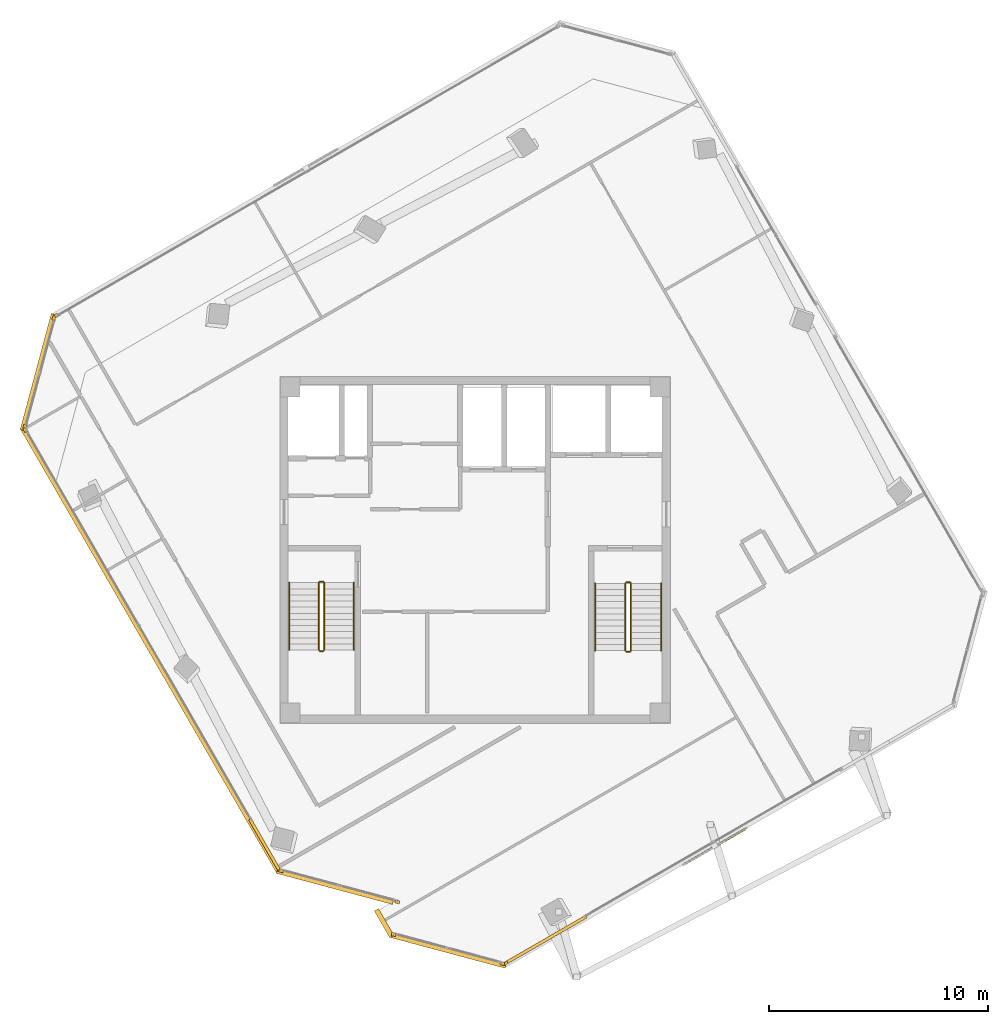
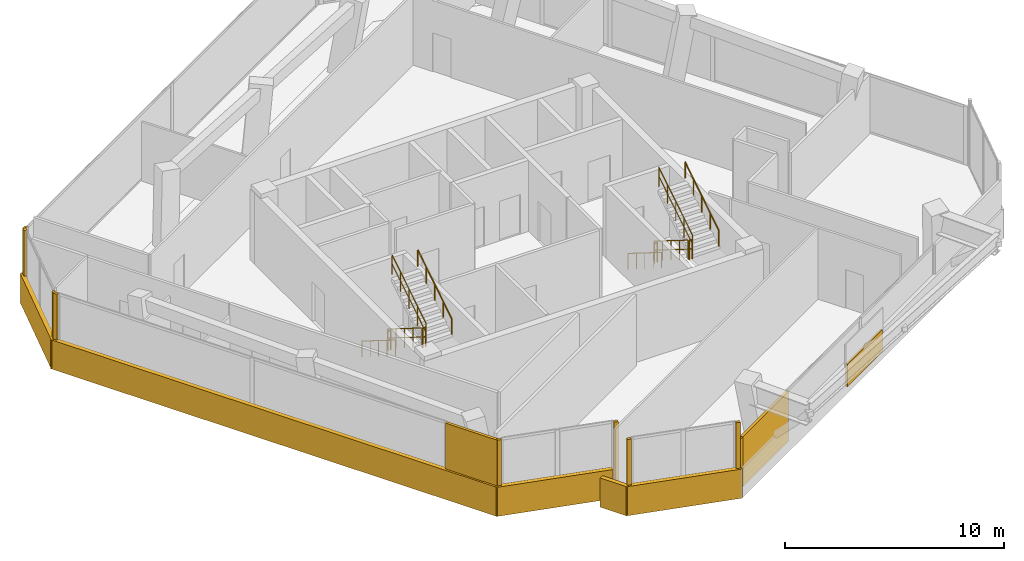
# One storey, part 13 of 15: 16 coverings, 12 railings, 1 shading device.
"""IFC4 building model written with IfcOpenShell, lengths in metres."""

from ifc_helpers import new_model, si_unit, direction, frame, origin, origin_2d, place, context, subcontext, project, spatial, rectangle, circle, extrude, source, transform, mapped, material, layer, layer_set, type_object, element, save


model = new_model("IFC4")

# Units and contexts
model_context = context("Model", 3, precision=1e-05, world=origin(), true_north=direction((0.0, 1.0)))
body_context = subcontext(model_context, "Body", "Model", "MODEL_VIEW")
ifc_project = project(units=[si_unit("LENGTHUNIT", "METRE"), si_unit("AREAUNIT", "SQUARE_METRE"), si_unit("VOLUMEUNIT", "CUBIC_METRE"), si_unit("PLANEANGLEUNIT", "RADIAN"), si_unit("MASSUNIT", "GRAM", prefix="KILO")], contexts=[model_context])

# Site, building, storey
site_placement = place(None, origin())
site = spatial("IfcSite", under=ifc_project, at=site_placement, CompositionType="ELEMENT")
building_placement = place(site_placement, origin())
building = spatial("IfcBuilding", under=site, at=building_placement, Name="Torre Montelarca", CompositionType="ELEMENT")
storey_placement = place(building_placement, frame((0.0, 0.0, 324.0)))
storey = spatial("IfcBuildingStorey", under=building, at=storey_placement, Name="L73", CompositionType="ELEMENT", Elevation=324.0)

# Railings
ifc_material_1 = material(Name="Powder-coated steel ASTM A500 Grade C", Category="steel")
railing_type_1 = type_object("IfcRailingType", Name="RL-GUARD-1100", PredefinedType="BALUSTRADE", material=ifc_material_1)
railing_1_placement = place(storey_placement, frame((10.85009765625, 30.5, 0.175048828125)))
element("IfcRailing", 1, at=railing_1_placement, inside=storey, type_object=railing_type_1, Name="L73 ST1 stair guard 1", PredefinedType="BALUSTRADE", context=body_context, shape_type="SweptSolid", body=[
    extrude(circle(Radius=0.02392578125, at=origin_2d()), frame((0.0, 0.0, 1.076171875), z_axis=(0.0, -0.847998304005, 0.529998940003), x_axis=(1.0, 0.0, 0.0)), (0.0, 0.0, 1.0), 3.632080078125),
    extrude(circle(Radius=0.02099609375, at=origin_2d()), frame((0.0, 0.0, 0.572021484375), z_axis=(0.0, -0.847998304005, 0.529998940003), x_axis=(1.0, 0.0, 0.0)), (0.0, 0.0, 1.0), 3.632080078125),
    extrude(circle(Radius=0.02099609375, at=origin_2d()), origin(), (0.0, 0.0, 1.0), 1.052001953125),
    extrude(circle(Radius=0.02099609375, at=origin_2d()), frame((0.0, -0.77001953125, 0.481201171875)), (0.0, 0.0, 1.0), 1.052001953125),
    extrude(circle(Radius=0.02099609375, at=origin_2d()), frame((0.0, -1.5400390625, 0.96240234375)), (0.0, 0.0, 1.0), 1.052001953125),
    extrude(circle(Radius=0.02099609375, at=origin_2d()), frame((0.0, -2.31005859375, 1.44384765625)), (0.0, 0.0, 1.0), 1.052001953125),
    extrude(circle(Radius=0.02099609375, at=origin_2d()), frame((0.0, -3.080078125, 1.925048828125)), (0.0, 0.0, 1.0), 1.052001953125),
])
railing_2_placement = place(storey_placement, frame((10.89990234375, 27.3701171875, 2.10009765625)))
element("IfcRailing", 2, at=railing_2_placement, inside=storey, type_object=railing_type_1, Name="L73 ST1 stair guard 2", PredefinedType="BALUSTRADE", context=body_context, shape_type="SweptSolid", body=[
    extrude(circle(Radius=0.02392578125, at=origin_2d()), frame((0.0, 0.0, 1.076171875), z_axis=(1.0, 0.0, 0.0), x_axis=(0.0, 1.0, 0.0)), (0.0, 0.0, 1.0), 0.150146484375),
    extrude(circle(Radius=0.02099609375, at=origin_2d()), frame((0.0, 0.0, 0.572021484375), z_axis=(1.0, 0.0, 0.0), x_axis=(0.0, 1.0, 0.0)), (0.0, 0.0, 1.0), 0.150146484375),
    extrude(circle(Radius=0.02099609375, at=origin_2d()), origin(), (0.0, 0.0, 1.0), 1.052001953125),
    extrude(circle(Radius=0.02099609375, at=origin_2d()), frame((0.150146484375, 0.0, 0.0)), (0.0, 0.0, 1.0), 1.052001953125),
])
railing_3_placement = place(storey_placement, frame((11.10009765625, 27.419921875, 2.27490234375)))
element("IfcRailing", 3, at=railing_3_placement, inside=storey, type_object=railing_type_1, Name="L73 ST1 stair guard 3", PredefinedType="BALUSTRADE", context=body_context, shape_type="SweptSolid", body=[
    extrude(circle(Radius=0.02392578125, at=origin_2d()), frame((0.0, 0.0, 1.076171875), z_axis=(0.0, 0.847998304005, 0.529998940003), x_axis=(-1.0, 0.0, 0.0)), (0.0, 0.0, 1.0), 3.632080078125),
    extrude(circle(Radius=0.02099609375, at=origin_2d()), frame((0.0, 0.0, 0.572021484375), z_axis=(0.0, 0.847998304005, 0.529998940003), x_axis=(-1.0, 0.0, 0.0)), (0.0, 0.0, 1.0), 3.632080078125),
    extrude(circle(Radius=0.02099609375, at=origin_2d()), origin(), (0.0, 0.0, 1.0), 1.052001953125),
    extrude(circle(Radius=0.02099609375, at=origin_2d()), frame((0.0, 0.77001953125, 0.481201171875)), (0.0, 0.0, 1.0), 1.052001953125),
    extrude(circle(Radius=0.02099609375, at=origin_2d()), frame((0.0, 1.5400390625, 0.96240234375)), (0.0, 0.0, 1.0), 1.052001953125),
    extrude(circle(Radius=0.02099609375, at=origin_2d()), frame((0.0, 2.31005859375, 1.44384765625)), (0.0, 0.0, 1.0), 1.052001953125),
    extrude(circle(Radius=0.02099609375, at=origin_2d()), frame((0.0, 3.080078125, 1.925048828125)), (0.0, 0.0, 1.0), 1.052001953125),
])
railing_4_placement = place(storey_placement, frame((10.89990234375, 30.550048828125, 0.0)))
element("IfcRailing", 4, at=railing_4_placement, inside=storey, type_object=railing_type_1, Name="L73 ST1 stair guard 4", PredefinedType="BALUSTRADE", context=body_context, shape_type="SweptSolid", body=[
    extrude(circle(Radius=0.02392578125, at=origin_2d()), frame((0.0, 0.0, 1.076171875), z_axis=(1.0, 0.0, 0.0), x_axis=(0.0, 1.0, 0.0)), (0.0, 0.0, 1.0), 0.150146484375),
    extrude(circle(Radius=0.02099609375, at=origin_2d()), frame((0.0, 0.0, 0.572021484375), z_axis=(1.0, 0.0, 0.0), x_axis=(0.0, 1.0, 0.0)), (0.0, 0.0, 1.0), 0.150146484375),
    extrude(circle(Radius=0.02099609375, at=origin_2d()), origin(), (0.0, 0.0, 1.0), 1.052001953125),
    extrude(circle(Radius=0.02099609375, at=origin_2d()), frame((0.150146484375, 0.0, 0.0)), (0.0, 0.0, 1.0), 1.052001953125),
])
railing_5_placement = place(storey_placement, frame((24.8701171875, 30.469970703125, 0.175048828125)))
element("IfcRailing", 5, at=railing_5_placement, inside=storey, type_object=railing_type_1, Name="L73 ST2 stair guard 1", PredefinedType="BALUSTRADE", context=body_context, shape_type="SweptSolid", body=[
    extrude(circle(Radius=0.02392578125, at=origin_2d()), frame((0.0, 0.0, 1.076171875), z_axis=(0.0, -0.847998304005, 0.529998940003), x_axis=(1.0, 0.0, 0.0)), (0.0, 0.0, 1.0), 3.632080078125),
    extrude(circle(Radius=0.02099609375, at=origin_2d()), frame((0.0, 0.0, 0.572021484375), z_axis=(0.0, -0.847998304005, 0.529998940003), x_axis=(1.0, 0.0, 0.0)), (0.0, 0.0, 1.0), 3.632080078125),
    extrude(circle(Radius=0.02099609375, at=origin_2d()), origin(), (0.0, 0.0, 1.0), 1.052001953125),
    extrude(circle(Radius=0.02099609375, at=origin_2d()), frame((0.0, -0.77001953125, 0.481201171875)), (0.0, 0.0, 1.0), 1.052001953125),
    extrude(circle(Radius=0.02099609375, at=origin_2d()), frame((0.0, -1.5400390625, 0.96240234375)), (0.0, 0.0, 1.0), 1.052001953125),
    extrude(circle(Radius=0.02099609375, at=origin_2d()), frame((0.0, -2.31005859375, 1.44384765625)), (0.0, 0.0, 1.0), 1.052001953125),
    extrude(circle(Radius=0.02099609375, at=origin_2d()), frame((0.0, -3.080078125, 1.925048828125)), (0.0, 0.0, 1.0), 1.052001953125),
])
railing_6_placement = place(storey_placement, frame((24.919921875, 27.340087890625, 2.10009765625)))
element("IfcRailing", 6, at=railing_6_placement, inside=storey, type_object=railing_type_1, Name="L73 ST2 stair guard 2", PredefinedType="BALUSTRADE", context=body_context, shape_type="SweptSolid", body=[
    extrude(circle(Radius=0.02392578125, at=origin_2d()), frame((0.0, 0.0, 1.076171875), z_axis=(1.0, 0.0, 0.0), x_axis=(0.0, 1.0, 0.0)), (0.0, 0.0, 1.0), 0.150146484375),
    extrude(circle(Radius=0.02099609375, at=origin_2d()), frame((0.0, 0.0, 0.572021484375), z_axis=(1.0, 0.0, 0.0), x_axis=(0.0, 1.0, 0.0)), (0.0, 0.0, 1.0), 0.150146484375),
    extrude(circle(Radius=0.02099609375, at=origin_2d()), origin(), (0.0, 0.0, 1.0), 1.052001953125),
    extrude(circle(Radius=0.02099609375, at=origin_2d()), frame((0.150146484375, 0.0, 0.0)), (0.0, 0.0, 1.0), 1.052001953125),
])
railing_7_placement = place(storey_placement, frame((25.1201171875, 27.389892578125, 2.27490234375)))
element("IfcRailing", 7, at=railing_7_placement, inside=storey, type_object=railing_type_1, Name="L73 ST2 stair guard 3", PredefinedType="BALUSTRADE", context=body_context, shape_type="SweptSolid", body=[
    extrude(circle(Radius=0.02392578125, at=origin_2d()), frame((0.0, 0.0, 1.076171875), z_axis=(0.0, 0.847998304005, 0.529998940003), x_axis=(-1.0, 0.0, 0.0)), (0.0, 0.0, 1.0), 3.632080078125),
    extrude(circle(Radius=0.02099609375, at=origin_2d()), frame((0.0, 0.0, 0.572021484375), z_axis=(0.0, 0.847998304005, 0.529998940003), x_axis=(-1.0, 0.0, 0.0)), (0.0, 0.0, 1.0), 3.632080078125),
    extrude(circle(Radius=0.02099609375, at=origin_2d()), origin(), (0.0, 0.0, 1.0), 1.052001953125),
    extrude(circle(Radius=0.02099609375, at=origin_2d()), frame((0.0, 0.77001953125, 0.481201171875)), (0.0, 0.0, 1.0), 1.052001953125),
    extrude(circle(Radius=0.02099609375, at=origin_2d()), frame((0.0, 1.5400390625, 0.96240234375)), (0.0, 0.0, 1.0), 1.052001953125),
    extrude(circle(Radius=0.02099609375, at=origin_2d()), frame((0.0, 2.31005859375, 1.44384765625)), (0.0, 0.0, 1.0), 1.052001953125),
    extrude(circle(Radius=0.02099609375, at=origin_2d()), frame((0.0, 3.080078125, 1.925048828125)), (0.0, 0.0, 1.0), 1.052001953125),
])
railing_8_placement = place(storey_placement, frame((24.919921875, 30.52001953125, 0.0)))
element("IfcRailing", 8, at=railing_8_placement, inside=storey, type_object=railing_type_1, Name="L73 ST2 stair guard 4", PredefinedType="BALUSTRADE", context=body_context, shape_type="SweptSolid", body=[
    extrude(circle(Radius=0.02392578125, at=origin_2d()), frame((0.0, 0.0, 1.076171875), z_axis=(1.0, 0.0, 0.0), x_axis=(0.0, 1.0, 0.0)), (0.0, 0.0, 1.0), 0.150146484375),
    extrude(circle(Radius=0.02099609375, at=origin_2d()), frame((0.0, 0.0, 0.572021484375), z_axis=(1.0, 0.0, 0.0), x_axis=(0.0, 1.0, 0.0)), (0.0, 0.0, 1.0), 0.150146484375),
    extrude(circle(Radius=0.02099609375, at=origin_2d()), origin(), (0.0, 0.0, 1.0), 1.052001953125),
    extrude(circle(Radius=0.02099609375, at=origin_2d()), frame((0.150146484375, 0.0, 0.0)), (0.0, 0.0, 1.0), 1.052001953125),
])
ifc_material_2 = material(Name="Brushed stainless steel AISI 316", Category="steel")
railing_type_2 = type_object("IfcRailingType", Name="RL-HANDRAIL-900", PredefinedType="HANDRAIL", material=ifc_material_2)
railing_9_placement = place(storey_placement, frame((9.5, 30.5, 0.175048828125)))
element("IfcRailing", 9, at=railing_9_placement, inside=storey, type_object=railing_type_2, Name="L73 ST1 stair handrail 1", PredefinedType="HANDRAIL", context=body_context, shape_type="SweptSolid", body=[
    extrude(circle(Radius=0.02392578125, at=origin_2d()), frame((0.0, 0.0, 0.8759765625), z_axis=(0.0, -0.847998304005, 0.529998940003), x_axis=(1.0, 0.0, 0.0)), (0.0, 0.0, 1.0), 3.632080078125),
    extrude(circle(Radius=0.02099609375, at=origin_2d()), origin(), (0.0, 0.0, 1.0), 0.851806640625),
    extrude(circle(Radius=0.02099609375, at=origin_2d()), frame((0.0, -0.77001953125, 0.481201171875)), (0.0, 0.0, 1.0), 0.851806640625),
    extrude(circle(Radius=0.02099609375, at=origin_2d()), frame((0.0, -1.5400390625, 0.96240234375)), (0.0, 0.0, 1.0), 0.851806640625),
    extrude(circle(Radius=0.02099609375, at=origin_2d()), frame((0.0, -2.31005859375, 1.44384765625)), (0.0, 0.0, 1.0), 0.851806640625),
    extrude(circle(Radius=0.02099609375, at=origin_2d()), frame((0.0, -3.080078125, 1.925048828125)), (0.0, 0.0, 1.0), 0.851806640625),
])
railing_10_placement = place(storey_placement, frame((12.449951171875, 27.419921875, 2.27490234375)))
element("IfcRailing", 10, at=railing_10_placement, inside=storey, type_object=railing_type_2, Name="L73 ST1 stair handrail 2", PredefinedType="HANDRAIL", context=body_context, shape_type="SweptSolid", body=[
    extrude(circle(Radius=0.02392578125, at=origin_2d()), frame((0.0, 0.0, 0.8759765625), z_axis=(0.0, 0.847998304005, 0.529998940003), x_axis=(-1.0, 0.0, 0.0)), (0.0, 0.0, 1.0), 3.632080078125),
    extrude(circle(Radius=0.02099609375, at=origin_2d()), origin(), (0.0, 0.0, 1.0), 0.851806640625),
    extrude(circle(Radius=0.02099609375, at=origin_2d()), frame((0.0, 0.77001953125, 0.481201171875)), (0.0, 0.0, 1.0), 0.851806640625),
    extrude(circle(Radius=0.02099609375, at=origin_2d()), frame((0.0, 1.5400390625, 0.96240234375)), (0.0, 0.0, 1.0), 0.851806640625),
    extrude(circle(Radius=0.02099609375, at=origin_2d()), frame((0.0, 2.31005859375, 1.44384765625)), (0.0, 0.0, 1.0), 0.851806640625),
    extrude(circle(Radius=0.02099609375, at=origin_2d()), frame((0.0, 3.080078125, 1.925048828125)), (0.0, 0.0, 1.0), 0.851806640625),
])
railing_11_placement = place(storey_placement, frame((23.489990234375, 30.469970703125, 0.175048828125)))
element("IfcRailing", 11, at=railing_11_placement, inside=storey, type_object=railing_type_2, Name="L73 ST2 stair handrail 1", PredefinedType="HANDRAIL", context=body_context, shape_type="SweptSolid", body=[
    extrude(circle(Radius=0.02392578125, at=origin_2d()), frame((0.0, 0.0, 0.8759765625), z_axis=(0.0, -0.847998304005, 0.529998940003), x_axis=(1.0, 0.0, 0.0)), (0.0, 0.0, 1.0), 3.632080078125),
    extrude(circle(Radius=0.02099609375, at=origin_2d()), origin(), (0.0, 0.0, 1.0), 0.851806640625),
    extrude(circle(Radius=0.02099609375, at=origin_2d()), frame((0.0, -0.77001953125, 0.481201171875)), (0.0, 0.0, 1.0), 0.851806640625),
    extrude(circle(Radius=0.02099609375, at=origin_2d()), frame((0.0, -1.5400390625, 0.96240234375)), (0.0, 0.0, 1.0), 0.851806640625),
    extrude(circle(Radius=0.02099609375, at=origin_2d()), frame((0.0, -2.31005859375, 1.44384765625)), (0.0, 0.0, 1.0), 0.851806640625),
    extrude(circle(Radius=0.02099609375, at=origin_2d()), frame((0.0, -3.080078125, 1.925048828125)), (0.0, 0.0, 1.0), 0.851806640625),
])
railing_12_placement = place(storey_placement, frame((26.5, 27.389892578125, 2.27490234375)))
element("IfcRailing", 12, at=railing_12_placement, inside=storey, type_object=railing_type_2, Name="L73 ST2 stair handrail 2", PredefinedType="HANDRAIL", context=body_context, shape_type="SweptSolid", body=[
    extrude(circle(Radius=0.02392578125, at=origin_2d()), frame((0.0, 0.0, 0.8759765625), z_axis=(0.0, 0.847998304005, 0.529998940003), x_axis=(-1.0, 0.0, 0.0)), (0.0, 0.0, 1.0), 3.632080078125),
    extrude(circle(Radius=0.02099609375, at=origin_2d()), origin(), (0.0, 0.0, 1.0), 0.851806640625),
    extrude(circle(Radius=0.02099609375, at=origin_2d()), frame((0.0, 0.77001953125, 0.481201171875)), (0.0, 0.0, 1.0), 0.851806640625),
    extrude(circle(Radius=0.02099609375, at=origin_2d()), frame((0.0, 1.5400390625, 0.96240234375)), (0.0, 0.0, 1.0), 0.851806640625),
    extrude(circle(Radius=0.02099609375, at=origin_2d()), frame((0.0, 2.31005859375, 1.44384765625)), (0.0, 0.0, 1.0), 0.851806640625),
    extrude(circle(Radius=0.02099609375, at=origin_2d()), frame((0.0, 3.080078125, 1.925048828125)), (0.0, 0.0, 1.0), 0.851806640625),
])

# Shading device
ifc_material_3 = material(Name="Architectural perforated terracotta ceramic", Category="masonry")
ifc_layer_1 = layer(ifc_material_3, 0.080078125, Name="Architectural perforated terracotta ceramic", Category="masonry")
ifc_layer_set_1 = layer_set([ifc_layer_1], Name="Architectural perforated terracotta ceramic")
shading_device_type = type_object("IfcShadingDeviceType", Name="SHD-JALOUSIE-1", PredefinedType="JALOUSIE", material=ifc_layer_set_1)
shared_shape_1 = source(origin(), body_context, "Body", "SweptSolid", [
    extrude(rectangle(XDim=3.199951171875, YDim=0.10009765625, at=origin_2d()), origin(), (0.0, 0.0, 1.0), 1.25),
])
shading_device_placement = place(storey_placement, frame((28.962890625, 18.433837890625, -0.0048828125), z_axis=(0.0, 0.0, 1.0), x_axis=(0.866025403784, 0.5, 0.0)))
element("IfcShadingDevice", 13, at=shading_device_placement, inside=storey, type_object=shading_device_type, Name="L73 Facade Solar Shading Device E6", PredefinedType="JALOUSIE", context=body_context, shape_type="MappedRepresentation", body=[
    mapped(shared_shape_1, transform((0.0, 0.0, 0.0), scale=1.0)),
])

# Coverings
ifc_material_4 = material(Name="Bush-hammered warm white precast concrete C45/55", Category="concrete")
ifc_layer_2 = layer(ifc_material_4, 0.139892578125, Name="Bush-hammered warm white precast concrete C45/55", Category="concrete")
ifc_layer_set_2 = layer_set([ifc_layer_2], Name="Bush-hammered warm white precast concrete C45/55")
covering_type = type_object("IfcCoveringType", Name="COV-TRAY-CLAD", PredefinedType="CLADDING", material=ifc_layer_set_2)
shared_shape_2 = source(origin(), body_context, "Body", "SweptSolid", [
    extrude(rectangle(XDim=0.199951171875, YDim=0.139892578125, at=origin_2d()), origin(), (0.0, 0.0, 1.0), 3.719970703125),
])
for number, where, z_axis, x_axis, name in (
    (14, (-2.57568359375, 37.48046875, 0.0), (0.0, 0.0, 1.0), (0.5, -0.866025403784, 0.0), "L73 Architectural Column Pier Cladding E01-1"),
    (15, (9.12353515625, 17.32763671875, 0.0), (0.0, 0.0, 1.0), (0.965924019368, -0.258825788531, 0.0), "L73 Architectural Column Pier Cladding E02-1"),
    (16, (14.44580078125, 15.901611328125, 0.0), (0.0, 0.0, 1.0), (0.965924019368, -0.258825788531, 0.0), "L73 Architectural Column Pier Cladding E02-2"),
    (17, (14.271484375, 14.410888671875, 0.0), (0.0, 0.0, 1.0), (0.965925374563, -0.258820730961, 0.0), "L73 Architectural Column Pier Cladding E05-1"),
    (18, (19.23876953125, 13.080078125, 0.0), (0.0, 0.0, 1.0), (0.965925374563, -0.258820730961, 0.0), "L73 Architectural Column Pier Cladding E05-2"),
    (19, (-1.175537109375, 42.70654296875, 0.0), (0.0, 0.0, 1.0), (-0.866025403784, -0.5, 0.0), "L73 Architectural Column Pier Cladding E10-2"),
    (20, (-1.263916015625, 42.591552734375, 0.0), (0.0, 0.0, 1.0), (-0.258820730961, -0.965925374563, 0.0), "L73 Architectural Column Pier Cladding E11-1"),
    (21, (-2.5947265625, 37.62451171875, 0.0), (0.0, 0.0, 1.0), (-0.258820730961, -0.965925374563, 0.0), "L73 Architectural Column Pier Cladding E11-2"),
):
    element("IfcCovering", number, at=place(storey_placement, frame(where, z_axis=z_axis, x_axis=x_axis)), inside=storey, type_object=covering_type, Name=name, PredefinedType="CLADDING", context=body_context, shape_type="MappedRepresentation", body=[
        mapped(shared_shape_2, transform((0.0, 0.0, 0.0), scale=1.0)),
    ])
shared_shape_3 = source(origin(), body_context, "Body", "SweptSolid", [
    extrude(rectangle(XDim=0.199951171875, YDim=0.139892578125, at=origin_2d()), origin(), (0.0, 0.0, 1.0), 2.77490234375),
])
covering_1_placement = place(storey_placement, frame((19.382568359375, 13.09912109375, 0.0), z_axis=(0.0, 0.0, 1.0), x_axis=(0.866025403784, 0.5, 0.0)))
element("IfcCovering", 22, at=covering_1_placement, inside=storey, type_object=covering_type, Name="L73 Architectural Column Pier Cladding E06-1", PredefinedType="CLADDING", context=body_context, shape_type="MappedRepresentation", body=[
    mapped(shared_shape_3, transform((0.0, 0.0, 0.0), scale=1.0)),
])
shared_shape_4 = source(origin(), body_context, "Body", "SweptSolid", [
    extrude(rectangle(XDim=23.52001953125, YDim=0.219970703125, at=origin_2d()), origin(), (0.0, 0.0, 1.0), 1.6201171875),
])
covering_2_placement = place(storey_placement, frame((3.164306640625, 27.418212890625, -0.449951171875), z_axis=(0.0, 0.0, 1.0), x_axis=(0.5, -0.866025403784, 0.0)))
element("IfcCovering", 23, at=covering_2_placement, inside=storey, type_object=covering_type, Name="L73 Architectural White Spandrel Tray Band TRYBOT-01", PredefinedType="CLADDING", context=body_context, shape_type="MappedRepresentation", body=[
    mapped(shared_shape_4, transform((0.0, 0.0, 0.0), scale=1.0)),
])
shared_shape_5 = source(origin(), body_context, "Body", "SweptSolid", [
    extrude(rectangle(XDim=5.493896484375, YDim=0.219970703125, at=origin_2d()), origin(), (0.0, 0.0, 1.0), 1.6201171875),
])
for number, where, z_axis, x_axis, name in (
    (24, (11.591552734375, 16.604248046875, -0.449951171875), (0.0, 0.0, 1.0), (0.965925826289, -0.258819045103, 0.0), "L73 Architectural White Spandrel Tray Band TRYBOT-02"),
    (25, (16.739501953125, 13.6875, -0.449951171875), (0.0, 0.0, 1.0), (0.965925826289, -0.258819045103, 0.0), "L73 Architectural White Spandrel Tray Band TRYBOT-05"),
    (26, (-1.9873046875, 40.12353515625, -0.449951171875), (0.0, 0.0, 1.0), (-0.258819045103, -0.965925826289, 0.0), "L73 Architectural White Spandrel Tray Band TRYBOT-11"),
):
    element("IfcCovering", number, at=place(storey_placement, frame(where, z_axis=z_axis, x_axis=x_axis)), inside=storey, type_object=covering_type, Name=name, PredefinedType="CLADDING", context=body_context, shape_type="MappedRepresentation", body=[
        mapped(shared_shape_5, transform((0.0, 0.0, 0.0), scale=1.0)),
    ])
shared_shape_6 = source(origin(), body_context, "Body", "SweptSolid", [
    extrude(rectangle(XDim=1.419921875, YDim=0.219970703125, at=origin_2d()), origin(), (0.0, 0.0, 1.0), 1.6201171875),
])
covering_3_placement = place(storey_placement, frame((13.83740234375, 14.931884765625, -0.449951171875), z_axis=(0.0, 0.0, 1.0), x_axis=(0.500010580459, -0.866019295067, 0.0)))
element("IfcCovering", 27, at=covering_3_placement, inside=storey, type_object=covering_type, Name="L73 Architectural White Spandrel Tray Band TRYBOT-04", PredefinedType="CLADDING", context=body_context, shape_type="MappedRepresentation", body=[
    mapped(shared_shape_6, transform((0.0, 0.0, 0.0), scale=1.0)),
])
shared_shape_7 = source(origin(), body_context, "Body", "SweptSolid", [
    extrude(rectangle(XDim=2.7197265625, YDim=0.139892578125, at=origin_2d()), origin(), (0.0, 0.0, 1.0), 3.719970703125),
])
covering_4_placement = place(storey_placement, frame((8.37841796875, 18.507080078125, 0.0), z_axis=(0.0, 0.0, 1.0), x_axis=(0.5, -0.866025403784, 0.0)))
element("IfcCovering", 28, at=covering_4_placement, inside=storey, type_object=covering_type, Name="L73 Architectural Column Pier Cladding E01-2", PredefinedType="CLADDING", context=body_context, shape_type="MappedRepresentation", body=[
    mapped(shared_shape_7, transform((0.0, 0.0, 0.0), scale=1.0)),
])
shared_shape_8 = source(origin(), body_context, "Body", "SweptSolid", [
    extrude(rectangle(XDim=4.26416015625, YDim=0.139892578125, at=origin_2d()), origin(), (0.0, 0.0, 1.0), 2.77490234375),
])
covering_5_placement = place(storey_placement, frame((21.22900390625, 14.1650390625, 0.0), z_axis=(0.0, 0.0, 1.0), x_axis=(0.866025403784, 0.5, 0.0)))
element("IfcCovering", 29, at=covering_5_placement, inside=storey, type_object=covering_type, Name="L73 Architectural Column Pier Cladding E06-2", PredefinedType="CLADDING", context=body_context, shape_type="MappedRepresentation", body=[
    mapped(shared_shape_8, transform((0.0, 0.0, 0.0), scale=1.0)),
])

save(model, "model.ifc")
